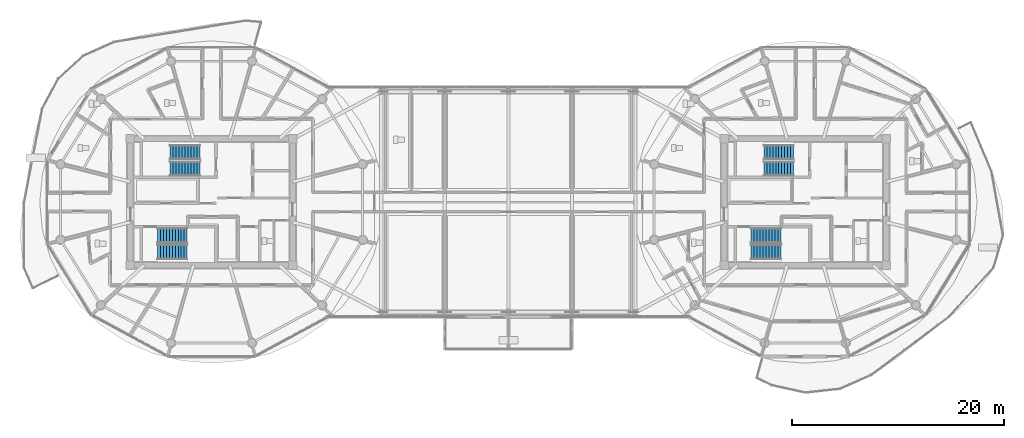
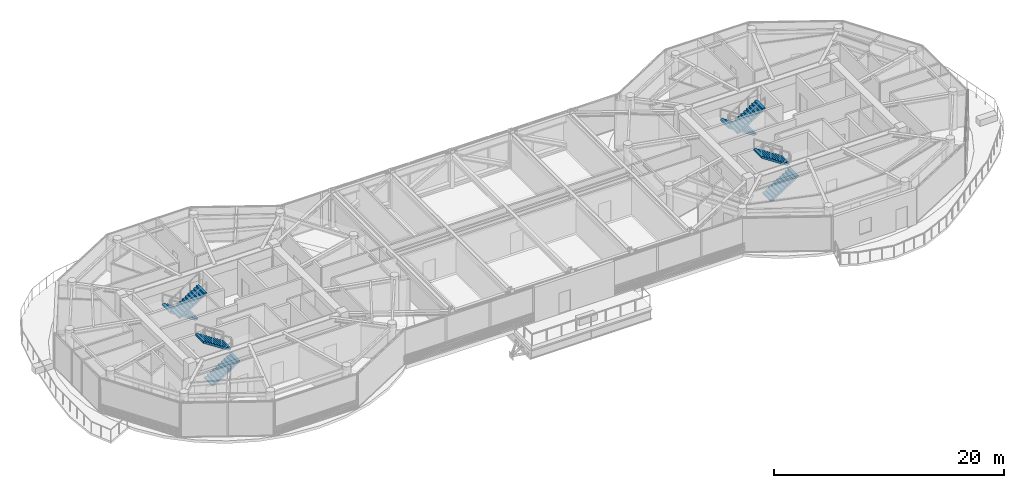
# One storey, part 21 of 31: 8 stair flights, 4 elements without a shape of their own.
"""IFC4 building model written with IfcOpenShell, lengths in metres."""

from ifc_helpers import new_model, si_unit, direction, frame, origin, place, context, subcontext, project, spatial, polyline, outline, extrude, material, type_object, element, aggregate, save


model = new_model("IFC4")

# Units and contexts
model_context = context("Model", 3, precision=1e-05, world=origin(), true_north=direction((0.0, 1.0)))
body_context = subcontext(model_context, "Body", "Model", "MODEL_VIEW")
ifc_project = project(units=[si_unit("LENGTHUNIT", "METRE"), si_unit("AREAUNIT", "SQUARE_METRE"), si_unit("VOLUMEUNIT", "CUBIC_METRE"), si_unit("PLANEANGLEUNIT", "RADIAN"), si_unit("MASSUNIT", "GRAM", prefix="KILO")], contexts=[model_context])

# Site, building, storey
site_placement = place(None, origin())
site = spatial("IfcSite", under=ifc_project, at=site_placement, CompositionType="ELEMENT")
building_placement = place(site_placement, origin())
building = spatial("IfcBuilding", under=site, at=building_placement, Name="Norrkilde Senior Care Towers", CompositionType="ELEMENT")
storey_placement = place(building_placement, frame((0.0, 0.0, 199.800048828125)))
storey = spatial("IfcBuildingStorey", under=building, at=storey_placement, Name="L62", CompositionType="ELEMENT", Elevation=199.800048828125)

# Stair, stair flights
ifc_material = material(Name="Concrete C45/55", Category="concrete")
stair_type = type_object("IfcStairType", Name="Core Protected Dogleg Stair Bridge 4000", PredefinedType="HALF_TURN_STAIR", material=ifc_material)
stair_1_placement = place(storey_placement, origin())
stair_1 = element("IfcStair", 1, at=stair_1_placement, inside=storey, type_object=stair_type, Name="L62 Protected Core Stair W1", PredefinedType="HALF_TURN_STAIR")
stair_flight_type = type_object("IfcStairFlightType", Name="Core Protected Dogleg Stair Bridge 4000 Flight", PredefinedType="STRAIGHT", material=ifc_material)
stair_flight_1_placement = place(storey_placement, frame((-29.10009765625, 4.699951171875, 0.0), z_axis=(0.0, 0.0, 1.0), x_axis=(-1.0, 0.0, 0.0)))
stair_flight_1 = element("IfcStairFlight", 2, at=stair_flight_1_placement, type_object=stair_flight_type, Name="ST-W1 flight 1", NumberOfRisers=11, NumberOfTreads=10, PredefinedType="STRAIGHT", RiserHeight=0.181818182, TreadLength=0.28, context=body_context, shape_type="SweptSolid", body=[
    extrude(outline(polyline([(0.0, 0.0), (0.0, 0.181884765625), (0.280029296875, 0.181884765625), (0.280029296875, 0.363525390625), (0.56005859375, 0.363525390625), (0.56005859375, 0.54541015625), (0.840087890625, 0.54541015625), (0.840087890625, 0.727294921875), (1.1201171875, 0.727294921875), (1.1201171875, 0.9091796875), (1.39990234375, 0.9091796875), (1.39990234375, 1.0908203125), (1.679931640625, 1.0908203125), (1.679931640625, 1.272705078125), (1.9599609375, 1.272705078125), (1.9599609375, 1.45458984375), (2.239990234375, 1.45458984375), (2.239990234375, 1.636474609375), (2.52001953125, 1.636474609375), (2.52001953125, 1.818115234375), (2.800048828125, 1.818115234375), (2.800048828125, 2.0), (2.800048828125, 1.639404296875), (0.275146484375, 0.0), (0.0, 0.0)])), frame((0.0, 0.699951171875, 0.0), z_axis=(0.0, -1.0, 0.0), x_axis=(1.0, 0.0, 0.0)), (0.0, 0.0, 1.0), 1.39990234375),
])
stair_flight_2_placement = place(storey_placement, frame((-31.89990234375, 3.14990234375, 2.0), z_axis=(0.0, 0.0, 1.0), x_axis=(1.0, 0.0, 0.0)))
stair_flight_2 = element("IfcStairFlight", 3, at=stair_flight_2_placement, type_object=stair_flight_type, Name="ST-W1 flight 2", NumberOfRisers=11, NumberOfTreads=10, PredefinedType="STRAIGHT", RiserHeight=0.181818182, TreadLength=0.28, context=body_context, shape_type="SweptSolid", body=[
    extrude(outline(polyline([(0.0, 0.0), (0.0, 0.181884765625), (0.280029296875, 0.181884765625), (0.280029296875, 0.363525390625), (0.56005859375, 0.363525390625), (0.56005859375, 0.54541015625), (0.840087890625, 0.54541015625), (0.840087890625, 0.727294921875), (1.1201171875, 0.727294921875), (1.1201171875, 0.9091796875), (1.39990234375, 0.9091796875), (1.39990234375, 1.0908203125), (1.679931640625, 1.0908203125), (1.679931640625, 1.272705078125), (1.9599609375, 1.272705078125), (1.9599609375, 1.45458984375), (2.239990234375, 1.45458984375), (2.239990234375, 1.636474609375), (2.52001953125, 1.636474609375), (2.52001953125, 1.818115234375), (2.800048828125, 1.818115234375), (2.800048828125, 2.0), (2.800048828125, 1.639404296875), (0.275146484375, 0.0), (0.0, 0.0)])), frame((0.0, 0.699951171875, 0.0), z_axis=(0.0, -1.0, 0.0), x_axis=(1.0, 0.0, 0.0)), (0.0, 0.0, 1.0), 1.39990234375),
])
aggregate(stair_1, [stair_flight_1, stair_flight_2])

stair_2_placement = place(storey_placement, origin())
stair_2 = element("IfcStair", 4, at=stair_2_placement, inside=storey, type_object=stair_type, Name="L62 Protected Core Stair W2", PredefinedType="HALF_TURN_STAIR")
stair_flight_3_placement = place(storey_placement, frame((-33.10009765625, -4.699951171875, 0.0), z_axis=(0.0, 0.0, 1.0), x_axis=(1.0, 0.0, 0.0)))
stair_flight_3 = element("IfcStairFlight", 5, at=stair_flight_3_placement, type_object=stair_flight_type, Name="ST-W2 flight 1", NumberOfRisers=11, NumberOfTreads=10, PredefinedType="STRAIGHT", RiserHeight=0.181818182, TreadLength=0.28, context=body_context, shape_type="SweptSolid", body=[
    extrude(outline(polyline([(0.0, 0.0), (0.0, 0.181884765625), (0.280029296875, 0.181884765625), (0.280029296875, 0.363525390625), (0.56005859375, 0.363525390625), (0.56005859375, 0.54541015625), (0.840087890625, 0.54541015625), (0.840087890625, 0.727294921875), (1.1201171875, 0.727294921875), (1.1201171875, 0.9091796875), (1.39990234375, 0.9091796875), (1.39990234375, 1.0908203125), (1.679931640625, 1.0908203125), (1.679931640625, 1.272705078125), (1.9599609375, 1.272705078125), (1.9599609375, 1.45458984375), (2.239990234375, 1.45458984375), (2.239990234375, 1.636474609375), (2.52001953125, 1.636474609375), (2.52001953125, 1.818115234375), (2.800048828125, 1.818115234375), (2.800048828125, 2.0), (2.800048828125, 1.639404296875), (0.275146484375, 0.0), (0.0, 0.0)])), frame((0.0, 0.699951171875, 0.0), z_axis=(0.0, -1.0, 0.0), x_axis=(1.0, 0.0, 0.0)), (0.0, 0.0, 1.0), 1.39990234375),
])
stair_flight_4_placement = place(storey_placement, frame((-30.300048828125, -3.14990234375, 2.0), z_axis=(0.0, 0.0, 1.0), x_axis=(-1.0, 0.0, 0.0)))
stair_flight_4 = element("IfcStairFlight", 6, at=stair_flight_4_placement, type_object=stair_flight_type, Name="ST-W2 flight 2", NumberOfRisers=11, NumberOfTreads=10, PredefinedType="STRAIGHT", RiserHeight=0.181818182, TreadLength=0.28, context=body_context, shape_type="SweptSolid", body=[
    extrude(outline(polyline([(0.0, 0.0), (0.0, 0.181884765625), (0.280029296875, 0.181884765625), (0.280029296875, 0.363525390625), (0.56005859375, 0.363525390625), (0.56005859375, 0.54541015625), (0.840087890625, 0.54541015625), (0.840087890625, 0.727294921875), (1.1201171875, 0.727294921875), (1.1201171875, 0.9091796875), (1.39990234375, 0.9091796875), (1.39990234375, 1.0908203125), (1.679931640625, 1.0908203125), (1.679931640625, 1.272705078125), (1.9599609375, 1.272705078125), (1.9599609375, 1.45458984375), (2.239990234375, 1.45458984375), (2.239990234375, 1.636474609375), (2.52001953125, 1.636474609375), (2.52001953125, 1.818115234375), (2.800048828125, 1.818115234375), (2.800048828125, 2.0), (2.800048828125, 1.639404296875), (0.275146484375, 0.0), (0.0, 0.0)])), frame((0.0, 0.699951171875, 0.0), z_axis=(0.0, -1.0, 0.0), x_axis=(1.0, 0.0, 0.0)), (0.0, 0.0, 1.0), 1.39990234375),
])
aggregate(stair_2, [stair_flight_3, stair_flight_4])

stair_3_placement = place(storey_placement, origin())
stair_3 = element("IfcStair", 7, at=stair_3_placement, inside=storey, type_object=stair_type, Name="L62 Protected Core Stair E1", PredefinedType="HALF_TURN_STAIR")
stair_flight_5_placement = place(storey_placement, frame((26.89990234375, 4.699951171875, 0.0), z_axis=(0.0, 0.0, 1.0), x_axis=(-1.0, 0.0, 0.0)))
stair_flight_5 = element("IfcStairFlight", 8, at=stair_flight_5_placement, type_object=stair_flight_type, Name="ST-E1 flight 1", NumberOfRisers=11, NumberOfTreads=10, PredefinedType="STRAIGHT", RiserHeight=0.181818182, TreadLength=0.28, context=body_context, shape_type="SweptSolid", body=[
    extrude(outline(polyline([(0.0, 0.0), (0.0, 0.181884765625), (0.280029296875, 0.181884765625), (0.280029296875, 0.363525390625), (0.56005859375, 0.363525390625), (0.56005859375, 0.54541015625), (0.840087890625, 0.54541015625), (0.840087890625, 0.727294921875), (1.1201171875, 0.727294921875), (1.1201171875, 0.9091796875), (1.39990234375, 0.9091796875), (1.39990234375, 1.0908203125), (1.679931640625, 1.0908203125), (1.679931640625, 1.272705078125), (1.9599609375, 1.272705078125), (1.9599609375, 1.45458984375), (2.239990234375, 1.45458984375), (2.239990234375, 1.636474609375), (2.52001953125, 1.636474609375), (2.52001953125, 1.818115234375), (2.800048828125, 1.818115234375), (2.800048828125, 2.0), (2.800048828125, 1.639404296875), (0.275146484375, 0.0), (0.0, 0.0)])), frame((0.0, 0.699951171875, 0.0), z_axis=(0.0, -1.0, 0.0), x_axis=(1.0, 0.0, 0.0)), (0.0, 0.0, 1.0), 1.39990234375),
])
stair_flight_6_placement = place(storey_placement, frame((24.10009765625, 3.14990234375, 2.0), z_axis=(0.0, 0.0, 1.0), x_axis=(1.0, 0.0, 0.0)))
stair_flight_6 = element("IfcStairFlight", 9, at=stair_flight_6_placement, type_object=stair_flight_type, Name="ST-E1 flight 2", NumberOfRisers=11, NumberOfTreads=10, PredefinedType="STRAIGHT", RiserHeight=0.181818182, TreadLength=0.28, context=body_context, shape_type="SweptSolid", body=[
    extrude(outline(polyline([(0.0, 0.0), (0.0, 0.181884765625), (0.280029296875, 0.181884765625), (0.280029296875, 0.363525390625), (0.56005859375, 0.363525390625), (0.56005859375, 0.54541015625), (0.840087890625, 0.54541015625), (0.840087890625, 0.727294921875), (1.1201171875, 0.727294921875), (1.1201171875, 0.9091796875), (1.39990234375, 0.9091796875), (1.39990234375, 1.0908203125), (1.679931640625, 1.0908203125), (1.679931640625, 1.272705078125), (1.9599609375, 1.272705078125), (1.9599609375, 1.45458984375), (2.239990234375, 1.45458984375), (2.239990234375, 1.636474609375), (2.52001953125, 1.636474609375), (2.52001953125, 1.818115234375), (2.800048828125, 1.818115234375), (2.800048828125, 2.0), (2.800048828125, 1.639404296875), (0.275146484375, 0.0), (0.0, 0.0)])), frame((0.0, 0.699951171875, 0.0), z_axis=(0.0, -1.0, 0.0), x_axis=(1.0, 0.0, 0.0)), (0.0, 0.0, 1.0), 1.39990234375),
])
aggregate(stair_3, [stair_flight_5, stair_flight_6])

stair_4_placement = place(storey_placement, origin())
stair_4 = element("IfcStair", 10, at=stair_4_placement, inside=storey, type_object=stair_type, Name="L62 Protected Core Stair E2", PredefinedType="HALF_TURN_STAIR")
stair_flight_7_placement = place(storey_placement, frame((22.89990234375, -4.699951171875, 0.0), z_axis=(0.0, 0.0, 1.0), x_axis=(1.0, 0.0, 0.0)))
stair_flight_7 = element("IfcStairFlight", 11, at=stair_flight_7_placement, type_object=stair_flight_type, Name="ST-E2 flight 1", NumberOfRisers=11, NumberOfTreads=10, PredefinedType="STRAIGHT", RiserHeight=0.181818182, TreadLength=0.28, context=body_context, shape_type="SweptSolid", body=[
    extrude(outline(polyline([(0.0, 0.0), (0.0, 0.181884765625), (0.280029296875, 0.181884765625), (0.280029296875, 0.363525390625), (0.56005859375, 0.363525390625), (0.56005859375, 0.54541015625), (0.840087890625, 0.54541015625), (0.840087890625, 0.727294921875), (1.1201171875, 0.727294921875), (1.1201171875, 0.9091796875), (1.39990234375, 0.9091796875), (1.39990234375, 1.0908203125), (1.679931640625, 1.0908203125), (1.679931640625, 1.272705078125), (1.9599609375, 1.272705078125), (1.9599609375, 1.45458984375), (2.239990234375, 1.45458984375), (2.239990234375, 1.636474609375), (2.52001953125, 1.636474609375), (2.52001953125, 1.818115234375), (2.800048828125, 1.818115234375), (2.800048828125, 2.0), (2.800048828125, 1.639404296875), (0.275146484375, 0.0), (0.0, 0.0)])), frame((0.0, 0.699951171875, 0.0), z_axis=(0.0, -1.0, 0.0), x_axis=(1.0, 0.0, 0.0)), (0.0, 0.0, 1.0), 1.39990234375),
])
stair_flight_8_placement = place(storey_placement, frame((25.699951171875, -3.14990234375, 2.0), z_axis=(0.0, 0.0, 1.0), x_axis=(-1.0, 0.0, 0.0)))
stair_flight_8 = element("IfcStairFlight", 12, at=stair_flight_8_placement, type_object=stair_flight_type, Name="ST-E2 flight 2", NumberOfRisers=11, NumberOfTreads=10, PredefinedType="STRAIGHT", RiserHeight=0.181818182, TreadLength=0.28, context=body_context, shape_type="SweptSolid", body=[
    extrude(outline(polyline([(0.0, 0.0), (0.0, 0.181884765625), (0.280029296875, 0.181884765625), (0.280029296875, 0.363525390625), (0.56005859375, 0.363525390625), (0.56005859375, 0.54541015625), (0.840087890625, 0.54541015625), (0.840087890625, 0.727294921875), (1.1201171875, 0.727294921875), (1.1201171875, 0.9091796875), (1.39990234375, 0.9091796875), (1.39990234375, 1.0908203125), (1.679931640625, 1.0908203125), (1.679931640625, 1.272705078125), (1.9599609375, 1.272705078125), (1.9599609375, 1.45458984375), (2.239990234375, 1.45458984375), (2.239990234375, 1.636474609375), (2.52001953125, 1.636474609375), (2.52001953125, 1.818115234375), (2.800048828125, 1.818115234375), (2.800048828125, 2.0), (2.800048828125, 1.639404296875), (0.275146484375, 0.0), (0.0, 0.0)])), frame((0.0, 0.699951171875, 0.0), z_axis=(0.0, -1.0, 0.0), x_axis=(1.0, 0.0, 0.0)), (0.0, 0.0, 1.0), 1.39990234375),
])
aggregate(stair_4, [stair_flight_7, stair_flight_8])

save(model, "model.ifc")
